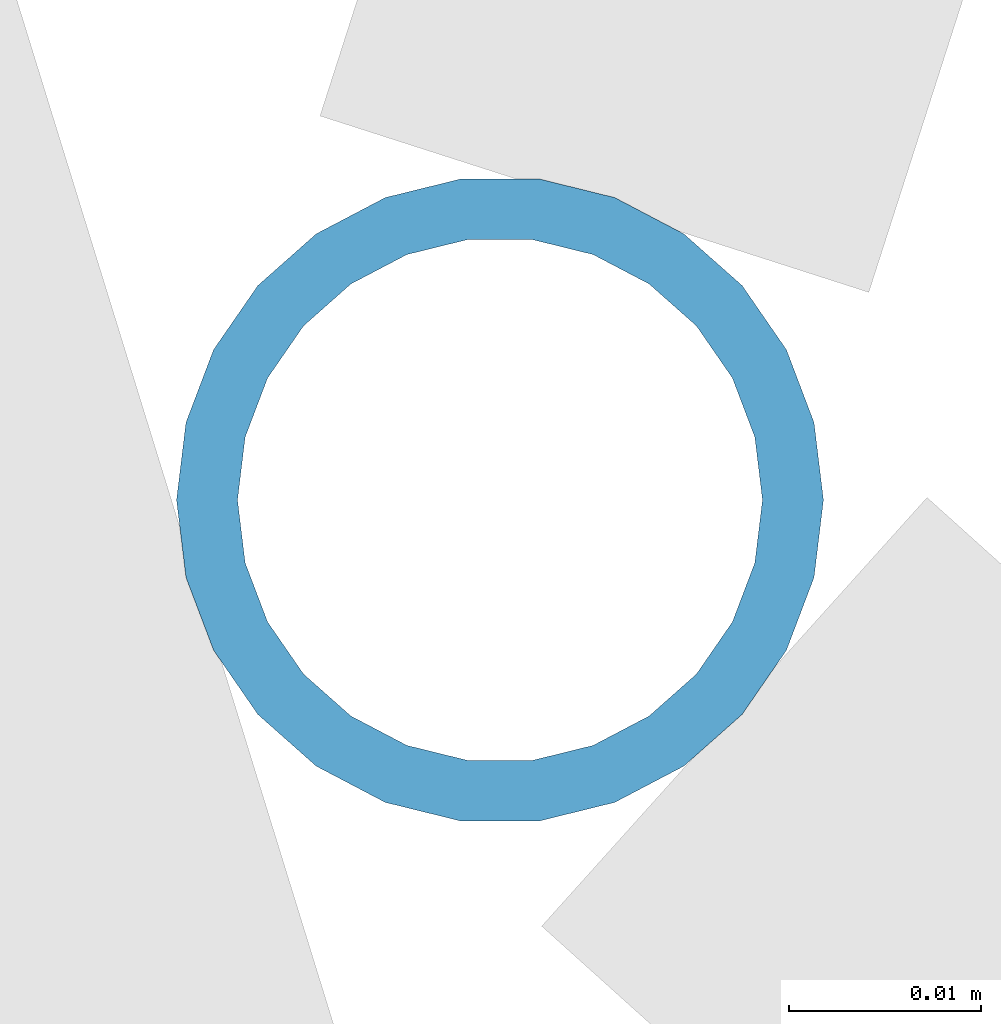
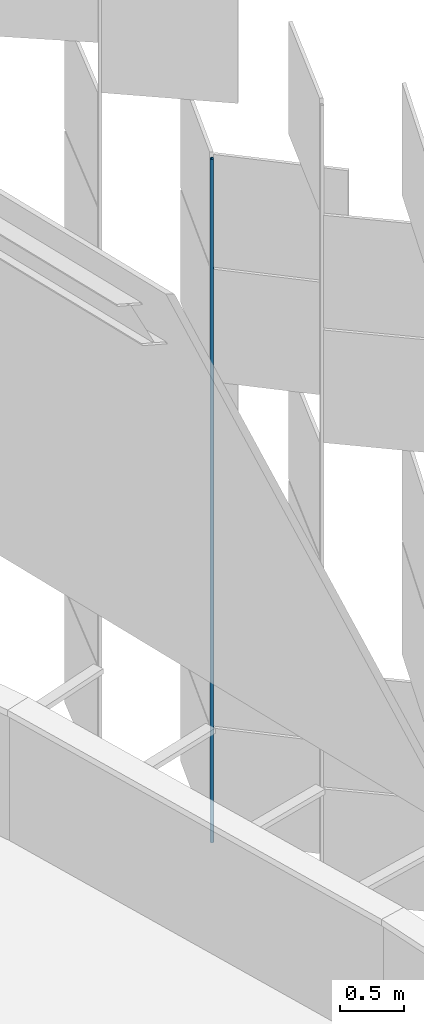
# One storey, part 295 of 483: 1 discrete accessory.
"""IFC4 building model written with IfcOpenShell, lengths in metres."""

from ifc_helpers import new_model, si_unit, direction, frame, origin, origin_2d, place, context, subcontext, project, spatial, hollow_circle, extrude, material, material_profile, profile_set, type_object, element, save


model = new_model("IFC4")

# Units and contexts
model_context = context("Model", 3, precision=1e-05, world=origin(), true_north=direction((0.0, 1.0)))
body_context = subcontext(model_context, "Body", "Model", "MODEL_VIEW")
ifc_project = project(units=[si_unit("LENGTHUNIT", "METRE"), si_unit("AREAUNIT", "SQUARE_METRE"), si_unit("VOLUMEUNIT", "CUBIC_METRE"), si_unit("PLANEANGLEUNIT", "RADIAN"), si_unit("MASSUNIT", "GRAM", prefix="KILO")], contexts=[model_context])

# Site, building, storey
site_placement = place(None, origin())
site = spatial("IfcSite", under=ifc_project, at=site_placement, CompositionType="ELEMENT")
building_placement = place(site_placement, origin())
building = spatial("IfcBuilding", under=site, at=building_placement, Name="Parallax Yard Mobility Hub", CompositionType="ELEMENT")
storey_placement = place(building_placement, frame((0.0, 0.0, 13.199951171875)))
storey = spatial("IfcBuildingStorey", under=building, at=storey_placement, Name="L04", CompositionType="ELEMENT", Elevation=13.199951171875)

# Discrete accessory
ifc_material = material(Name="Steel ASTM A500 Gr C, hot-dip galvanised", Category="steel")
ifc_material_profile = material_profile(ifc_material, hollow_circle(Radius=0.016845703125, WallThickness=0.003173828125, at=origin_2d()), Name="CHS 33.7x3.2")
ifc_profile_set = profile_set([ifc_material_profile], Name="Steel ASTM A500 Gr C, hot-dip galvanised")
discrete_accessory_type = type_object("IfcDiscreteAccessoryType", Name="Hinge post CHS 33.7x3.2", PredefinedType="BRACKET", material=ifc_profile_set)
discrete_accessory_placement = place(storey_placement, frame((223.566162109375, 105.33935546875, 0.0), z_axis=(0.0, 0.0, 1.0), x_axis=(1.0, 0.0, 0.0)))
element("IfcDiscreteAccessory", 1, at=discrete_accessory_placement, inside=storey, type_object=discrete_accessory_type, Name="Hinge post bay 42.7 level L04", PredefinedType="BRACKET", context=body_context, shape_type="SweptSolid", body=[
    extrude(hollow_circle(Radius=0.016845703125, WallThickness=0.003173828125, at=origin_2d()), origin(), (0.0, 0.0, 1.0), 6.550048828125),
])

save(model, "model.ifc")
